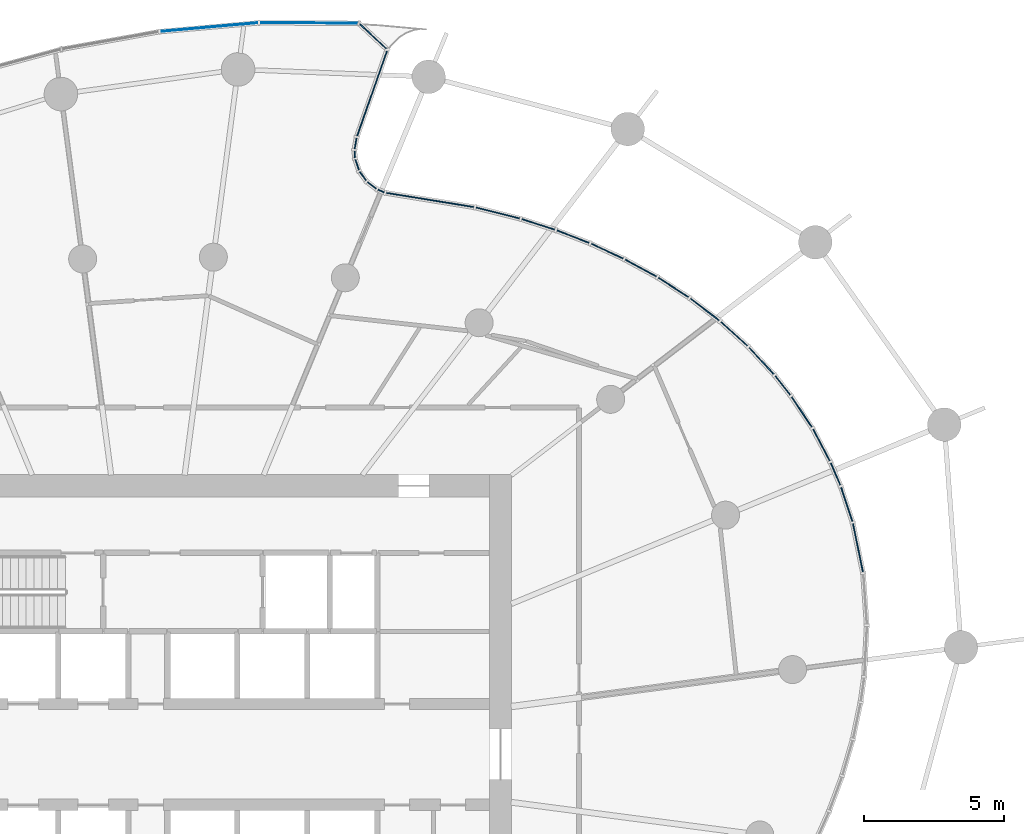
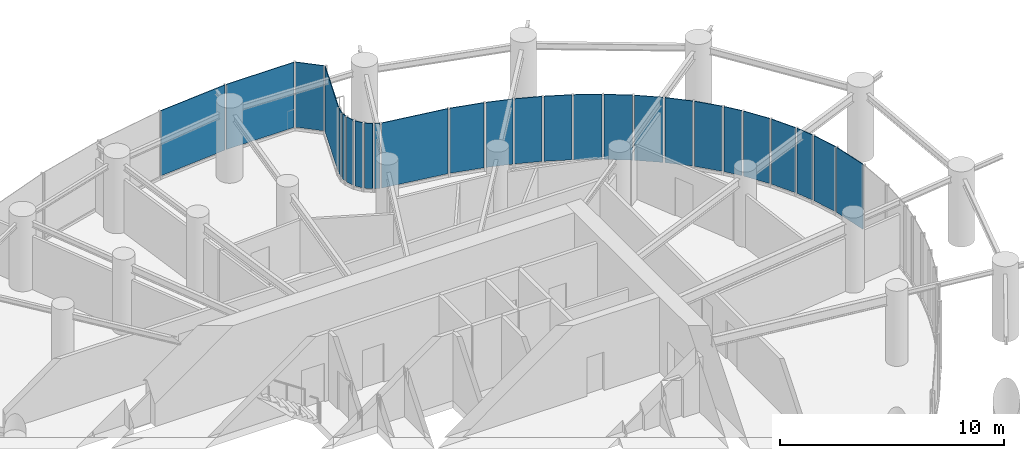
# One storey, part 13 of 21: 26 plates, 6 elements without a shape of their own.
"""IFC4 building model written with IfcOpenShell, lengths in metres."""

from ifc_helpers import new_model, si_unit, direction, frame, origin, origin_2d, place, context, subcontext, project, spatial, rectangle, extrude, source, transform, mapped, material, layer, layer_set, type_object, element, aggregate, save


model = new_model("IFC4")

# Units and contexts
model_context = context("Model", 3, precision=1e-05, world=origin(), true_north=direction((0.0, 1.0)))
body_context = subcontext(model_context, "Body", "Model", "MODEL_VIEW")
ifc_project = project(units=[si_unit("LENGTHUNIT", "METRE"), si_unit("AREAUNIT", "SQUARE_METRE"), si_unit("VOLUMEUNIT", "CUBIC_METRE"), si_unit("PLANEANGLEUNIT", "RADIAN"), si_unit("MASSUNIT", "GRAM", prefix="KILO")], contexts=[model_context])

# Site, building, storey
site_placement = place(None, origin())
site = spatial("IfcSite", under=ifc_project, at=site_placement, CompositionType="ELEMENT")
building_placement = place(site_placement, origin())
building = spatial("IfcBuilding", under=site, at=building_placement, Name="Spindrift Exchange Tower", CompositionType="ELEMENT")
storey_placement = place(building_placement, frame((0.0, 0.0, 83.89990234375)))
storey = spatial("IfcBuildingStorey", under=building, at=storey_placement, Name="L19", CompositionType="ELEMENT", Elevation=83.89990234375)

# Curtain wall, plate
ifc_material_1 = material(Name="Fritted laminated glass with bronze frame", Category="glass")
ifc_layer_1 = layer(ifc_material_1, 0.199951171875)
ifc_layer_set_1 = layer_set([ifc_layer_1], Name="SKY GARDEN BRONZE GLAZED WALL")
curtain_wall_type_1 = type_object("IfcCurtainWallType", Name="SKY GARDEN BRONZE GLAZED WALL", PredefinedType="NOTDEFINED", material=ifc_layer_set_1)
curtain_wall_1_placement = place(storey_placement, origin())
curtain_wall_1 = element("IfcCurtainWall", 1, at=curtain_wall_1_placement, inside=storey, type_object=curtain_wall_type_1, Name="L19 Sky Garden Bronze Glazed Wall run 12", PredefinedType="NOTDEFINED")
ifc_material_2 = material(Name="Bronze tinted laminated glass, clear vision", Category="glass")
ifc_layer_2 = layer(ifc_material_2, 0.0380859375)
ifc_layer_set_2 = layer_set([ifc_layer_2], Name="SKY GARDEN BRONZE GLAZED WALL PANEL CLEAR 1560")
plate_type_1 = type_object("IfcPlateType", Name="SKY GARDEN BRONZE GLAZED WALL PANEL CLEAR 1560", PredefinedType="CURTAIN_PANEL", material=ifc_layer_set_2)
shared_shape_1 = source(origin(), body_context, "Body", "SweptSolid", [
    extrude(rectangle(XDim=0.2294921875, YDim=0.0380859375, at=origin_2d()), origin(), (0.0, 0.0, 1.0), 3.550048828125),
])
plate_1_placement = place(storey_placement, frame((60.331787109375, 68.1328125, 0.14990234375), z_axis=(0.0, 0.0, 1.0), x_axis=(-0.921754900879, 0.387773004095, 0.0)))
plate_1 = element("IfcPlate", 2, at=plate_1_placement, type_object=plate_type_1, Name="L19 panel CW-G.69", PredefinedType="CURTAIN_PANEL", context=body_context, shape_type="MappedRepresentation", body=[
    mapped(shared_shape_1, transform((0.0, 0.0, 0.0), scale=1.0)),
])

curtain_wall_2_placement = place(storey_placement, origin())
curtain_wall_2 = element("IfcCurtainWall", 3, at=curtain_wall_2_placement, inside=storey, type_object=curtain_wall_type_1, Name="L19 Sky Garden Bronze Glazed Wall run 13", PredefinedType="NOTDEFINED")
plate_2_placement = place(storey_placement, frame((59.392333984375, 69.443359375, 0.14990234375), z_axis=(0.0, 0.0, 1.0), x_axis=(-0.071518334668, 0.997439285273, 0.0)))
plate_2 = element("IfcPlate", 4, at=plate_2_placement, type_object=plate_type_1, Name="L19 panel CW-G.73", PredefinedType="CURTAIN_PANEL", context=body_context, shape_type="MappedRepresentation", body=[
    mapped(shared_shape_1, transform((0.0, 0.0, 0.0), scale=1.0)),
])

# Curtain wall, plates
curtain_wall_3_placement = place(storey_placement, origin())
curtain_wall_3 = element("IfcCurtainWall", 5, at=curtain_wall_3_placement, inside=storey, type_object=curtain_wall_type_1, Name="L19 Sky Garden Bronze Glazed Wall run 10", PredefinedType="NOTDEFINED")
ifc_layer_3 = layer(ifc_material_2, 0.0380859375)
ifc_layer_set_3 = layer_set([ifc_layer_3], Name="SKY GARDEN BRONZE GLAZED WALL PANEL CLEAR 1920")
plate_type_2 = type_object("IfcPlateType", Name="SKY GARDEN BRONZE GLAZED WALL PANEL CLEAR 1920", PredefinedType="CURTAIN_PANEL", material=ifc_layer_set_3)
shared_shape_2 = source(origin(), body_context, "Body", "SweptSolid", [
    extrude(rectangle(XDim=1.277587890625, YDim=0.0380859375, at=origin_2d()), origin(), (0.0, 0.0, 1.0), 3.550048828125),
])
plate_3_placement = place(storey_placement, frame((76.06591796875, 59.055419921875, 0.14990234375), z_axis=(0.0, 0.0, 1.0), x_axis=(-0.468834993726, 0.8832857684, 0.0)))
plate_3 = element("IfcPlate", 6, at=plate_3_placement, type_object=plate_type_2, Name="L19 panel CW-G.56", PredefinedType="CURTAIN_PANEL", context=body_context, shape_type="MappedRepresentation", body=[
    mapped(shared_shape_2, transform((0.0, 0.0, 0.0), scale=1.0)),
])
ifc_layer_4 = layer(ifc_material_2, 0.0380859375)
ifc_layer_set_4 = layer_set([ifc_layer_4], Name="SKY GARDEN BRONZE GLAZED WALL PANEL CLEAR 1200")
plate_type_3 = type_object("IfcPlateType", Name="SKY GARDEN BRONZE GLAZED WALL PANEL CLEAR 1200", PredefinedType="CURTAIN_PANEL", material=ifc_layer_set_4)
shared_shape_3 = source(origin(), body_context, "Body", "SweptSolid", [
    extrude(rectangle(XDim=0.864501953125, YDim=0.0380859375, at=origin_2d()), origin(), (0.0, 0.0, 1.0), 3.550048828125),
])
plate_4_placement = place(storey_placement, frame((76.572021484375, 58.01708984375, 0.14990234375), z_axis=(0.0, 0.0, 1.0), x_axis=(-0.392775343894, 0.919634454133, 0.0)))
plate_4 = element("IfcPlate", 7, at=plate_4_placement, type_object=plate_type_3, Name="L19 panel CW-G.55", PredefinedType="CURTAIN_PANEL", context=body_context, shape_type="MappedRepresentation", body=[
    mapped(shared_shape_3, transform((0.0, 0.0, 0.0), scale=1.0)),
])

# Curtain wall, plate
curtain_wall_4_placement = place(storey_placement, origin())
curtain_wall_4 = element("IfcCurtainWall", 8, at=curtain_wall_4_placement, inside=storey, type_object=curtain_wall_type_1, Name="L19 Sky Garden Bronze Glazed Wall run 11", PredefinedType="NOTDEFINED")
shared_shape_4 = source(origin(), body_context, "Body", "SweptSolid", [
    extrude(rectangle(XDim=1.273681640625, YDim=0.0380859375, at=origin_2d()), origin(), (0.0, 0.0, 1.0), 3.550048828125),
])
plate_5_placement = place(storey_placement, frame((72.948974609375, 63.02587890625, 0.14990234375), z_axis=(0.0, 0.0, 1.0), x_axis=(-0.741520495195, 0.670930216346, 0.0)))
plate_5 = element("IfcPlate", 9, at=plate_5_placement, type_object=plate_type_3, Name="L19 panel CW-G.60", PredefinedType="CURTAIN_PANEL", context=body_context, shape_type="MappedRepresentation", body=[
    mapped(shared_shape_4, transform((0.0, 0.0, 0.0), scale=1.0)),
])

# Plate
shared_shape_5 = source(origin(), body_context, "Body", "SweptSolid", [
    extrude(rectangle(XDim=1.22802734375, YDim=0.0380859375, at=origin_2d()), origin(), (0.0, 0.0, 1.0), 3.550048828125),
])
plate_6_placement = place(storey_placement, frame((65.948974609375, 66.939453125, 0.14990234375), z_axis=(0.0, 0.0, 1.0), x_axis=(-0.952393139164, 0.304872610238, 0.0)))
plate_6 = element("IfcPlate", 10, at=plate_6_placement, type_object=plate_type_2, Name="L19 panel CW-G.66", PredefinedType="CURTAIN_PANEL", context=body_context, shape_type="MappedRepresentation", body=[
    mapped(shared_shape_5, transform((0.0, 0.0, 0.0), scale=1.0)),
])

shared_shape_6 = source(origin(), body_context, "Body", "SweptSolid", [
    extrude(rectangle(XDim=1.600830078125, YDim=0.0380859375, at=origin_2d()), origin(), (0.0, 0.0, 1.0), 3.550048828125),
])
plate_7_placement = place(storey_placement, frame((64.50634765625, 67.345703125, 0.14990234375), z_axis=(0.0, 0.0, 1.0), x_axis=(-0.969704688102, 0.244280203604, 0.0)))
plate_7 = element("IfcPlate", 11, at=plate_7_placement, type_object=plate_type_1, Name="L19 panel CW-G.67", PredefinedType="CURTAIN_PANEL", context=body_context, shape_type="MappedRepresentation", body=[
    mapped(shared_shape_6, transform((0.0, 0.0, 0.0), scale=1.0)),
])

shared_shape_7 = source(origin(), body_context, "Body", "SweptSolid", [
    extrude(rectangle(XDim=3.1689453125, YDim=0.0380859375, at=origin_2d()), origin(), (0.0, 0.0, 1.0), 3.550048828125),
])
plate_8_placement = place(storey_placement, frame((62.0830078125, 67.811767578125, 0.14990234375), z_axis=(0.0, 0.0, 1.0), x_axis=(-0.987133753543, 0.159896693572, 0.0)))
plate_8 = element("IfcPlate", 12, at=plate_8_placement, type_object=plate_type_3, Name="L19 panel CW-G.68", PredefinedType="CURTAIN_PANEL", context=body_context, shape_type="MappedRepresentation", body=[
    mapped(shared_shape_7, transform((0.0, 0.0, 0.0), scale=1.0)),
])

shared_shape_8 = source(origin(), body_context, "Body", "SweptSolid", [
    extrude(rectangle(XDim=0.37841796875, YDim=0.0380859375, at=origin_2d()), origin(), (0.0, 0.0, 1.0), 3.550048828125),
])
plate_9_placement = place(storey_placement, frame((60.00244140625, 68.333984375, 0.14990234375), z_axis=(0.0, 0.0, 1.0), x_axis=(-0.795916423159, 0.605406514126, 0.0)))
plate_9 = element("IfcPlate", 13, at=plate_9_placement, type_object=plate_type_2, Name="L19 panel CW-G.70", PredefinedType="CURTAIN_PANEL", context=body_context, shape_type="MappedRepresentation", body=[
    mapped(shared_shape_8, transform((0.0, 0.0, 0.0), scale=1.0)),
])

# Curtain wall, plates
ifc_layer_5 = layer(ifc_material_1, 0.18994140625)
ifc_layer_set_5 = layer_set([ifc_layer_5], Name="ZONE 2 BRONZE FRITTED WALL")
curtain_wall_type_2 = type_object("IfcCurtainWallType", Name="ZONE 2 BRONZE FRITTED WALL", PredefinedType="NOTDEFINED", material=ifc_layer_set_5)
curtain_wall_5_placement = place(storey_placement, origin())
curtain_wall_5 = element("IfcCurtainWall", 14, at=curtain_wall_5_placement, inside=storey, type_object=curtain_wall_type_2, Name="L19 Zone 2 Bronze Fritted Wall run 1", PredefinedType="NOTDEFINED")
ifc_material_3 = material(Name="Bronze fritted laminated glass, close frit", Category="glass")
ifc_layer_6 = layer(ifc_material_3, 0.033935546875)
ifc_layer_set_6 = layer_set([ifc_layer_6], Name="ZONE 2 BRONZE FRITTED WALL PANEL CLOSE FRIT 420")
plate_type_4 = type_object("IfcPlateType", Name="ZONE 2 BRONZE FRITTED WALL PANEL CLOSE FRIT 420", PredefinedType="CURTAIN_PANEL", material=ifc_layer_set_6)
shared_shape_9 = source(origin(), body_context, "Body", "SweptSolid", [
    extrude(rectangle(XDim=3.491455078125, YDim=0.033935546875, at=origin_2d()), origin(), (0.0, 0.0, 1.0), 3.56005859375),
])
plate_10_placement = place(storey_placement, frame((57.753173828125, 74.13671875, 0.14013671875), z_axis=(0.0, 0.0, 1.0), x_axis=(-0.999988372518, 0.004822326033, 0.0)))
plate_10 = element("IfcPlate", 15, at=plate_10_placement, type_object=plate_type_4, Name="L19 panel CW-2.1", PredefinedType="CURTAIN_PANEL", context=body_context, shape_type="MappedRepresentation", body=[
    mapped(shared_shape_9, transform((0.0, 0.0, 0.0), scale=1.0)),
])
ifc_layer_7 = layer(ifc_material_3, 0.033935546875)
ifc_layer_set_7 = layer_set([ifc_layer_7], Name="ZONE 2 BRONZE FRITTED WALL PANEL CLOSE FRIT 300")
plate_type_5 = type_object("IfcPlateType", Name="ZONE 2 BRONZE FRITTED WALL PANEL CLOSE FRIT 300", PredefinedType="CURTAIN_PANEL", material=ifc_layer_set_7)
shared_shape_10 = source(origin(), body_context, "Body", "SweptSolid", [
    extrude(rectangle(XDim=3.491455078125, YDim=0.033935546875, at=origin_2d()), origin(), (0.0, 0.0, 1.0), 3.56005859375),
])
plate_11_placement = place(storey_placement, frame((54.193603515625, 73.987548828125, 0.14013671875), z_axis=(0.0, 0.0, 1.0), x_axis=(-0.996072034691, -0.088546607536, 0.0)))
plate_11 = element("IfcPlate", 16, at=plate_11_placement, type_object=plate_type_5, Name="L19 panel CW-2.2", PredefinedType="CURTAIN_PANEL", context=body_context, shape_type="MappedRepresentation", body=[
    mapped(shared_shape_10, transform((0.0, 0.0, 0.0), scale=1.0)),
])
aggregate(curtain_wall_5, [plate_10, plate_11])

# Curtain wall, plate
curtain_wall_6_placement = place(storey_placement, origin())
curtain_wall_6 = element("IfcCurtainWall", 17, at=curtain_wall_6_placement, inside=storey, type_object=curtain_wall_type_1, Name="L19 Sky Garden Bronze Glazed Wall run 9", PredefinedType="NOTDEFINED")
shared_shape_11 = source(origin(), body_context, "Body", "SweptSolid", [
    extrude(rectangle(XDim=1.763671875, YDim=0.0380859375, at=origin_2d()), origin(), (0.0, 0.0, 1.0), 3.550048828125),
])
plate_12_placement = place(storey_placement, frame((77.37109375, 55.38134765625, 0.14990234375), z_axis=(0.0, 0.0, 1.0), x_axis=(-0.200857367159, 0.979620496957, 0.0)))
plate_12 = element("IfcPlate", 18, at=plate_12_placement, type_object=plate_type_3, Name="L19 panel CW-G.53", PredefinedType="CURTAIN_PANEL", context=body_context, shape_type="MappedRepresentation", body=[
    mapped(shared_shape_11, transform((0.0, 0.0, 0.0), scale=1.0)),
])
aggregate(curtain_wall_6, [plate_12])

# Plate
shared_shape_12 = source(origin(), body_context, "Body", "SweptSolid", [
    extrude(rectangle(XDim=1.277587890625, YDim=0.0380859375, at=origin_2d()), origin(), (0.0, 0.0, 1.0), 3.550048828125),
])
plate_13_placement = place(storey_placement, frame((76.971923828125, 56.93359375, 0.14990234375), z_axis=(0.0, 0.0, 1.0), x_axis=(-0.313473749342, 0.949596866293, 0.0)))
plate_13 = element("IfcPlate", 19, at=plate_13_placement, type_object=plate_type_3, Name="L19 panel CW-G.54", PredefinedType="CURTAIN_PANEL", context=body_context, shape_type="MappedRepresentation", body=[
    mapped(shared_shape_12, transform((0.0, 0.0, 0.0), scale=1.0)),
])

shared_shape_13 = source(origin(), body_context, "Body", "SweptSolid", [
    extrude(rectangle(XDim=1.3017578125, YDim=0.0380859375, at=origin_2d()), origin(), (0.0, 0.0, 1.0), 3.550048828125),
])
plate_14_placement = place(storey_placement, frame((75.36279296875, 60.234619140625, 0.14990234375), z_axis=(0.0, 0.0, 1.0), x_axis=(-0.553584879332, 0.83279276016, 0.0)))
plate_14 = element("IfcPlate", 20, at=plate_14_placement, type_object=plate_type_1, Name="L19 panel CW-G.57", PredefinedType="CURTAIN_PANEL", context=body_context, shape_type="MappedRepresentation", body=[
    mapped(shared_shape_13, transform((0.0, 0.0, 0.0), scale=1.0)),
])

shared_shape_14 = source(origin(), body_context, "Body", "SweptSolid", [
    extrude(rectangle(XDim=0.86181640625, YDim=0.0380859375, at=origin_2d()), origin(), (0.0, 0.0, 1.0), 3.550048828125),
])
plate_15_placement = place(storey_placement, frame((74.685546875, 61.18359375, 0.14990234375), z_axis=(0.0, 0.0, 1.0), x_axis=(-0.619672189986, 0.784860737302, 0.0)))
plate_15 = element("IfcPlate", 21, at=plate_15_placement, type_object=plate_type_3, Name="L19 panel CW-G.58", PredefinedType="CURTAIN_PANEL", context=body_context, shape_type="MappedRepresentation", body=[
    mapped(shared_shape_14, transform((0.0, 0.0, 0.0), scale=1.0)),
])

shared_shape_15 = source(origin(), body_context, "Body", "SweptSolid", [
    extrude(rectangle(XDim=1.298095703125, YDim=0.0380859375, at=origin_2d()), origin(), (0.0, 0.0, 1.0), 3.550048828125),
])
plate_16_placement = place(storey_placement, frame((73.92236328125, 62.0625, 0.14990234375), z_axis=(0.0, 0.0, 1.0), x_axis=(-0.6793209187, 0.733841324413, 0.0)))
plate_16 = element("IfcPlate", 22, at=plate_16_placement, type_object=plate_type_1, Name="L19 panel CW-G.59", PredefinedType="CURTAIN_PANEL", context=body_context, shape_type="MappedRepresentation", body=[
    mapped(shared_shape_15, transform((0.0, 0.0, 0.0), scale=1.0)),
])

aggregate(curtain_wall_3, [plate_13, plate_4, plate_3, plate_14, plate_15, plate_16])

shared_shape_16 = source(origin(), body_context, "Body", "SweptSolid", [
    extrude(rectangle(XDim=1.288818359375, YDim=0.0380859375, at=origin_2d()), origin(), (0.0, 0.0, 1.0), 3.550048828125),
])
plate_17_placement = place(storey_placement, frame((71.8994140625, 63.898193359375, 0.14990234375), z_axis=(0.0, 0.0, 1.0), x_axis=(-0.794870227223, 0.606779467248, 0.0)))
plate_17 = element("IfcPlate", 23, at=plate_17_placement, type_object=plate_type_1, Name="L19 panel CW-G.61", PredefinedType="CURTAIN_PANEL", context=body_context, shape_type="MappedRepresentation", body=[
    mapped(shared_shape_16, transform((0.0, 0.0, 0.0), scale=1.0)),
])

shared_shape_17 = source(origin(), body_context, "Body", "SweptSolid", [
    extrude(rectangle(XDim=1.279541015625, YDim=0.0380859375, at=origin_2d()), origin(), (0.0, 0.0, 1.0), 3.550048828125),
])
plate_18_placement = place(storey_placement, frame((70.780029296875, 64.685302734375, 0.14990234375), z_axis=(0.0, 0.0, 1.0), x_axis=(-0.84010018101, 0.542431272944, 0.0)))
plate_18 = element("IfcPlate", 24, at=plate_18_placement, type_object=plate_type_1, Name="L19 panel CW-G.62", PredefinedType="CURTAIN_PANEL", context=body_context, shape_type="MappedRepresentation", body=[
    mapped(shared_shape_17, transform((0.0, 0.0, 0.0), scale=1.0)),
])

shared_shape_18 = source(origin(), body_context, "Body", "SweptSolid", [
    extrude(rectangle(XDim=1.267578125, YDim=0.0380859375, at=origin_2d()), origin(), (0.0, 0.0, 1.0), 3.550048828125),
])
plate_19_placement = place(storey_placement, frame((69.613525390625, 65.37939453125, 0.14990234375), z_axis=(0.0, 0.0, 1.0), x_axis=(-0.877553188091, 0.479479303069, 0.0)))
plate_19 = element("IfcPlate", 25, at=plate_19_placement, type_object=plate_type_3, Name="L19 panel CW-G.63", PredefinedType="CURTAIN_PANEL", context=body_context, shape_type="MappedRepresentation", body=[
    mapped(shared_shape_18, transform((0.0, 0.0, 0.0), scale=1.0)),
])

shared_shape_19 = source(origin(), body_context, "Body", "SweptSolid", [
    extrude(rectangle(XDim=1.25244140625, YDim=0.0380859375, at=origin_2d()), origin(), (0.0, 0.0, 1.0), 3.550048828125),
])
plate_20_placement = place(storey_placement, frame((68.41259765625, 65.98388671875, 0.14990234375), z_axis=(0.0, 0.0, 1.0), x_axis=(-0.908167285389, 0.418607431551, 0.0)))
plate_20 = element("IfcPlate", 26, at=plate_20_placement, type_object=plate_type_3, Name="L19 panel CW-G.64", PredefinedType="CURTAIN_PANEL", context=body_context, shape_type="MappedRepresentation", body=[
    mapped(shared_shape_19, transform((0.0, 0.0, 0.0), scale=1.0)),
])

shared_shape_20 = source(origin(), body_context, "Body", "SweptSolid", [
    extrude(rectangle(XDim=1.23486328125, YDim=0.0380859375, at=origin_2d()), origin(), (0.0, 0.0, 1.0), 3.550048828125),
])
plate_21_placement = place(storey_placement, frame((67.189697265625, 66.501708984375, 0.14990234375), z_axis=(0.0, 0.0, 1.0), x_axis=(-0.932785673972, 0.360431528078, 0.0)))
plate_21 = element("IfcPlate", 27, at=plate_21_placement, type_object=plate_type_3, Name="L19 panel CW-G.65", PredefinedType="CURTAIN_PANEL", context=body_context, shape_type="MappedRepresentation", body=[
    mapped(shared_shape_20, transform((0.0, 0.0, 0.0), scale=1.0)),
])

aggregate(curtain_wall_4, [plate_5, plate_17, plate_18, plate_19, plate_20, plate_21])

shared_shape_21 = source(origin(), body_context, "Body", "SweptSolid", [
    extrude(rectangle(XDim=0.37353515625, YDim=0.0380859375, at=origin_2d()), origin(), (0.0, 0.0, 1.0), 3.550048828125),
])
plate_22_placement = place(storey_placement, frame((59.684326171875, 68.660888671875, 0.14990234375), z_axis=(0.0, 0.0, 1.0), x_axis=(-0.58266069248, 0.812715520609, 0.0)))
plate_22 = element("IfcPlate", 28, at=plate_22_placement, type_object=plate_type_2, Name="L19 panel CW-G.71", PredefinedType="CURTAIN_PANEL", context=body_context, shape_type="MappedRepresentation", body=[
    mapped(shared_shape_21, transform((0.0, 0.0, 0.0), scale=1.0)),
])

aggregate(curtain_wall_1, [plate_6, plate_7, plate_8, plate_1, plate_9, plate_22])

shared_shape_22 = source(origin(), body_context, "Body", "SweptSolid", [
    extrude(rectangle(XDim=0.37841796875, YDim=0.0380859375, at=origin_2d()), origin(), (0.0, 0.0, 1.0), 3.550048828125),
])
plate_23_placement = place(storey_placement, frame((59.477294921875, 69.06689453125, 0.14990234375), z_axis=(0.0, 0.0, 1.0), x_axis=(-0.317845834503, 0.948142407811, 0.0)))
plate_23 = element("IfcPlate", 29, at=plate_23_placement, type_object=plate_type_1, Name="L19 panel CW-G.72", PredefinedType="CURTAIN_PANEL", context=body_context, shape_type="MappedRepresentation", body=[
    mapped(shared_shape_22, transform((0.0, 0.0, 0.0), scale=1.0)),
])

shared_shape_23 = source(origin(), body_context, "Body", "SweptSolid", [
    extrude(rectangle(XDim=0.3759765625, YDim=0.0380859375, at=origin_2d()), origin(), (0.0, 0.0, 1.0), 3.550048828125),
])
plate_24_placement = place(storey_placement, frame((59.422119140625, 69.8271484375, 0.14990234375), z_axis=(0.0, 0.0, 1.0), x_axis=(0.178103268305, 0.984011801666, 0.0)))
plate_24 = element("IfcPlate", 30, at=plate_24_placement, type_object=plate_type_2, Name="L19 panel CW-G.74", PredefinedType="CURTAIN_PANEL", context=body_context, shape_type="MappedRepresentation", body=[
    mapped(shared_shape_23, transform((0.0, 0.0, 0.0), scale=1.0)),
])

shared_shape_24 = source(origin(), body_context, "Body", "SweptSolid", [
    extrude(rectangle(XDim=3.22998046875, YDim=0.0380859375, at=origin_2d()), origin(), (0.0, 0.0, 1.0), 3.550048828125),
])
plate_25_placement = place(storey_placement, frame((60.011474609375, 71.6181640625, 0.14990234375), z_axis=(0.0, 0.0, 1.0), x_axis=(0.330850409412, 0.94368321305, 0.0)))
plate_25 = element("IfcPlate", 31, at=plate_25_placement, type_object=plate_type_2, Name="L19 panel CW-G.75", PredefinedType="CURTAIN_PANEL", context=body_context, shape_type="MappedRepresentation", body=[
    mapped(shared_shape_24, transform((0.0, 0.0, 0.0), scale=1.0)),
])

shared_shape_25 = source(origin(), body_context, "Body", "SweptSolid", [
    extrude(rectangle(XDim=1.30859375, YDim=0.0380859375, at=origin_2d()), origin(), (0.0, 0.0, 1.0), 3.550048828125),
])
plate_26_placement = place(storey_placement, frame((60.048095703125, 73.6552734375, 0.14990234375), z_axis=(0.0, 0.0, 1.0), x_axis=(-0.734431495202, 0.678682826404, 0.0)))
plate_26 = element("IfcPlate", 32, at=plate_26_placement, type_object=plate_type_2, Name="L19 panel CW-G.76", PredefinedType="CURTAIN_PANEL", context=body_context, shape_type="MappedRepresentation", body=[
    mapped(shared_shape_25, transform((0.0, 0.0, 0.0), scale=1.0)),
])

aggregate(curtain_wall_2, [plate_23, plate_2, plate_24, plate_25, plate_26])

save(model, "model.ifc")
